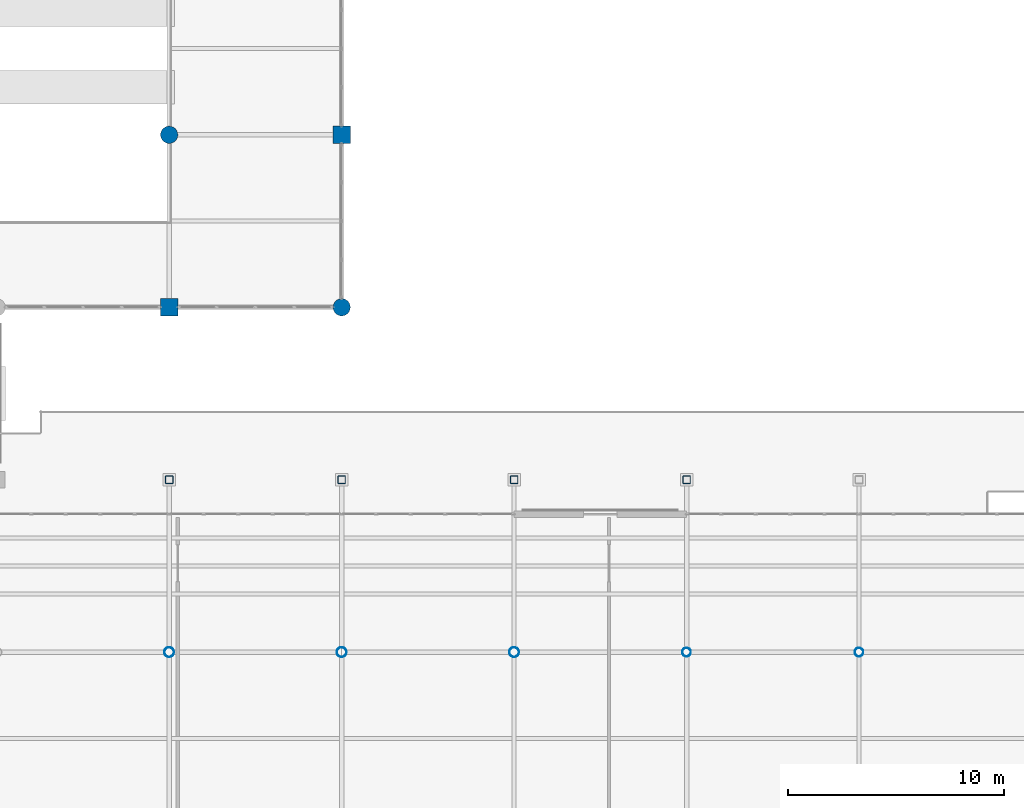
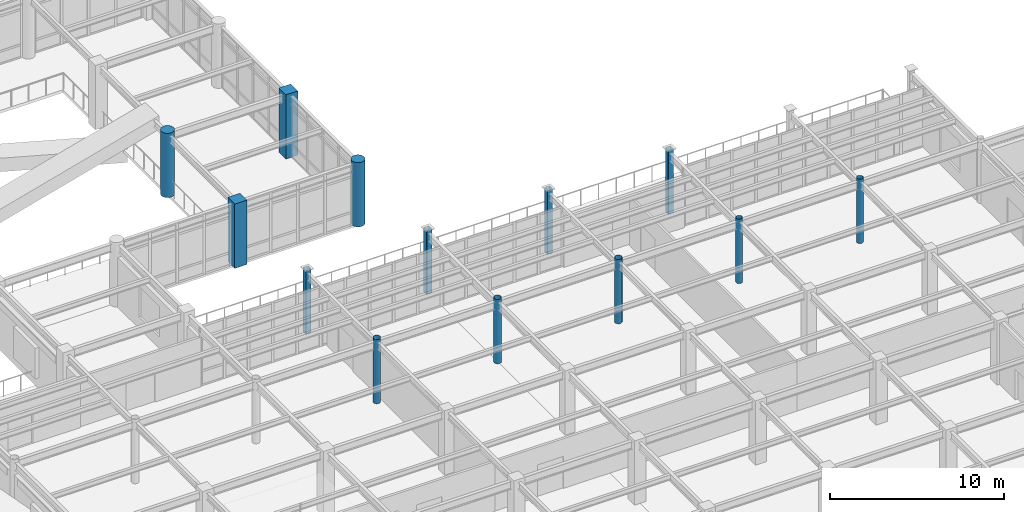
# One storey, part 6 of 111: 13 columns.
"""IFC4 building model written with IfcOpenShell, lengths in metres."""

from ifc_helpers import new_model, si_unit, direction, frame, origin, origin_2d, place, context, subcontext, project, spatial, rectangle, hollow_rectangle, circle, hollow_circle, extrude, material, material_profile, profile_set, type_object, element, save


model = new_model("IFC4")

# Units and contexts
model_context = context("Model", 3, precision=1e-05, world=origin(), true_north=direction((0.0, 1.0)))
body_context = subcontext(model_context, "Body", "Model", "MODEL_VIEW")
ifc_project = project(units=[si_unit("LENGTHUNIT", "METRE"), si_unit("AREAUNIT", "SQUARE_METRE"), si_unit("VOLUMEUNIT", "CUBIC_METRE"), si_unit("PLANEANGLEUNIT", "RADIAN"), si_unit("MASSUNIT", "GRAM", prefix="KILO")], contexts=[model_context])

# Site, building, storey
site_placement = place(None, origin())
site = spatial("IfcSite", under=ifc_project, at=site_placement, CompositionType="ELEMENT")
building_placement = place(site_placement, origin())
building = spatial("IfcBuilding", under=site, at=building_placement, Name="Solmirada Galleria", CompositionType="ELEMENT")
storey_placement = place(building_placement, frame((0.0, 0.0, 10.39990234375)))
storey = spatial("IfcBuildingStorey", under=building, at=storey_placement, Name="L02", CompositionType="ELEMENT", Elevation=10.39990234375)

# Columns
ifc_material_1 = material(Name="Steel S355 / ASTM A500 Grade C", Category="steel")
ifc_material_profile_1 = material_profile(ifc_material_1, hollow_circle(Radius=0.202880859375, WallThickness=0.01171875, at=origin_2d()), Name="HSS16.000X0.500")
ifc_profile_set_1 = profile_set([ifc_material_profile_1], Name="Steel S355 / ASTM A500 Grade C")
column_type_1 = type_object("IfcColumnType", Name="COL-CHS16", PredefinedType="COLUMN", material=ifc_profile_set_1)
for number, where, z_axis, x_axis, name in (
    (1, (128.0, 32.0, 0.0), (0.0, 0.0, 1.0), (1.0, 0.0, 0.0), "Structural column L02-1037"),
    (2, (136.0, 32.0, 0.0), (0.0, 0.0, 1.0), (1.0, 0.0, 0.0), "Structural column L02-1138"),
):
    element("IfcColumn", number, at=place(storey_placement, frame(where, z_axis=z_axis, x_axis=x_axis)), inside=storey, type_object=column_type_1, Name=name, PredefinedType="COLUMN", context=body_context, shape_type="SweptSolid", body=[
        extrude(hollow_circle(Radius=0.202880859375, WallThickness=0.01171875, at=origin_2d()), origin(), (0.0, 0.0, 1.0), 4.5),
    ])
ifc_material_profile_2 = material_profile(ifc_material_1, hollow_circle(Radius=0.228515625, WallThickness=0.01171875, at=origin_2d()), Name="HSS18.000X0.500")
ifc_profile_set_2 = profile_set([ifc_material_profile_2], Name="Steel S355 / ASTM A500 Grade C")
column_type_2 = type_object("IfcColumnType", Name="COL-CHS18", PredefinedType="COLUMN", material=ifc_profile_set_2)
for number, where, z_axis, x_axis, name in (
    (3, (104.0, 32.0, 0.0), (0.0, 0.0, 1.0), (1.0, 0.0, 0.0), "Structural column L02-0726"),
    (4, (112.0, 32.0, 0.0), (0.0, 0.0, 1.0), (1.0, 0.0, 0.0), "Structural column L02-0837"),
    (5, (120.0, 32.0, 0.0), (0.0, 0.0, 1.0), (1.0, 0.0, 0.0), "Structural column L02-0954"),
):
    element("IfcColumn", number, at=place(storey_placement, frame(where, z_axis=z_axis, x_axis=x_axis)), inside=storey, type_object=column_type_2, Name=name, PredefinedType="COLUMN", context=body_context, shape_type="SweptSolid", body=[
        extrude(hollow_circle(Radius=0.228515625, WallThickness=0.01171875, at=origin_2d()), origin(), (0.0, 0.0, 1.0), 4.5),
    ])
ifc_material_2 = material(Name="Concrete C40/50", Category="concrete")
ifc_material_profile_3 = material_profile(ifc_material_2, circle(Radius=0.39990234375, at=origin_2d()), Name="RCCOL800")
ifc_profile_set_3 = profile_set([ifc_material_profile_3], Name="Concrete C40/50")
column_type_3 = type_object("IfcColumnType", Name="COL-CIR800", PredefinedType="COLUMN", material=ifc_profile_set_3)
for number, where, z_axis, x_axis, name in (
    (6, (104.0, 56.0, 0.0), (0.0, 0.0, 1.0), (1.0, 0.0, 0.0), "Structural column L02-0745"),
    (7, (112.0, 48.0, 0.0), (0.0, 0.0, 1.0), (1.0, 0.0, 0.0), "Structural column L02-0848"),
):
    element("IfcColumn", number, at=place(storey_placement, frame(where, z_axis=z_axis, x_axis=x_axis)), inside=storey, type_object=column_type_3, Name=name, PredefinedType="COLUMN", context=body_context, shape_type="SweptSolid", body=[
        extrude(circle(Radius=0.39990234375, at=origin_2d()), origin(), (0.0, 0.0, 1.0), 4.5),
    ])
ifc_material_profile_4 = material_profile(ifc_material_1, hollow_rectangle(XDim=0.35595703125, YDim=0.35595703125, WallThickness=0.01171875, InnerFilletRadius=0.01171875, OuterFilletRadius=0.023681640625, at=origin_2d()), Name="HSS14X14X1/2")
ifc_profile_set_4 = profile_set([ifc_material_profile_4], Name="Steel S355 / ASTM A500 Grade C")
column_type_4 = type_object("IfcColumnType", Name="COL-HSS14", PredefinedType="COLUMN", material=ifc_profile_set_4)
for number, where, z_axis, x_axis, name in (
    (8, (104.0, 40.0, 0.0), (0.0, 0.0, 1.0), (1.0, 0.0, 0.0), "Structural column L02-0732"),
    (9, (112.0, 40.0, 0.0), (0.0, 0.0, 1.0), (1.0, 0.0, 0.0), "Structural column L02-0844"),
    (10, (120.0, 40.0, 0.0), (0.0, 0.0, 1.0), (1.0, 0.0, 0.0), "Structural column L02-0961"),
    (11, (128.0, 40.0, 0.0), (0.0, 0.0, 1.0), (1.0, 0.0, 0.0), "Structural column L02-1044"),
):
    element("IfcColumn", number, at=place(storey_placement, frame(where, z_axis=z_axis, x_axis=x_axis)), inside=storey, type_object=column_type_4, Name=name, PredefinedType="COLUMN", context=body_context, shape_type="SweptSolid", body=[
        extrude(hollow_rectangle(XDim=0.35595703125, YDim=0.35595703125, WallThickness=0.01171875, InnerFilletRadius=0.01171875, OuterFilletRadius=0.023681640625, at=origin_2d()), origin(), (0.0, 0.0, 1.0), 4.5),
    ])
ifc_material_profile_5 = material_profile(ifc_material_2, rectangle(XDim=0.800048828125, YDim=0.800048828125, at=origin_2d()), Name="RC800X800")
ifc_profile_set_5 = profile_set([ifc_material_profile_5], Name="Concrete C40/50")
column_type_5 = type_object("IfcColumnType", Name="COL-RC800", PredefinedType="COLUMN", material=ifc_profile_set_5)
for number, where, z_axis, x_axis, name in (
    (12, (104.0, 48.0, 0.0), (0.0, 0.0, 1.0), (1.0, 0.0, 0.0), "Structural column L02-0736"),
    (13, (112.0, 56.0, 0.0), (0.0, 0.0, 1.0), (1.0, 0.0, 0.0), "Structural column L02-0857"),
):
    element("IfcColumn", number, at=place(storey_placement, frame(where, z_axis=z_axis, x_axis=x_axis)), inside=storey, type_object=column_type_5, Name=name, PredefinedType="COLUMN", context=body_context, shape_type="SweptSolid", body=[
        extrude(rectangle(XDim=0.800048828125, YDim=0.800048828125, at=origin_2d()), origin(), (0.0, 0.0, 1.0), 4.5),
    ])

save(model, "model.ifc")
